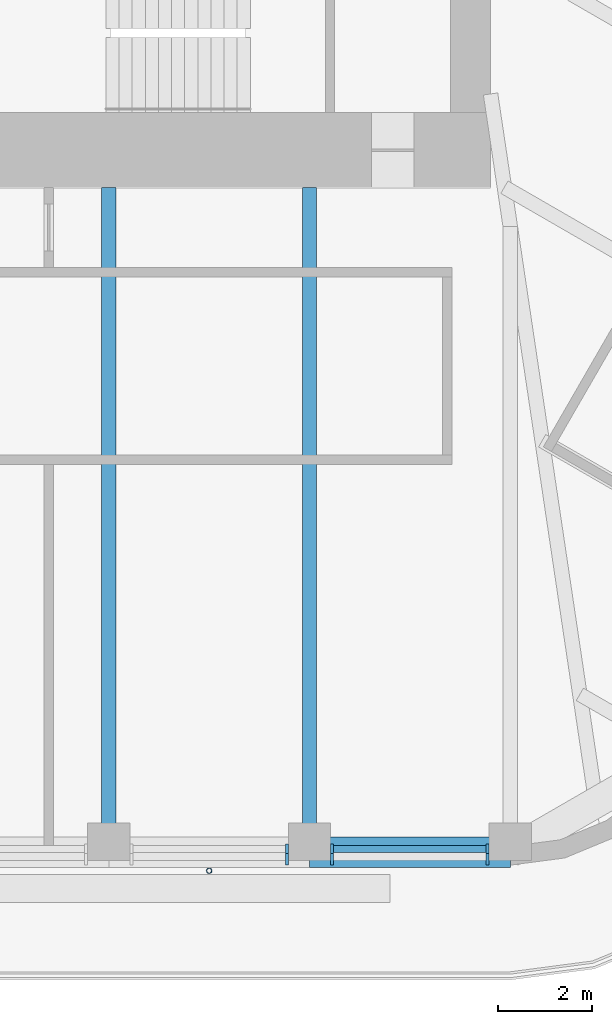
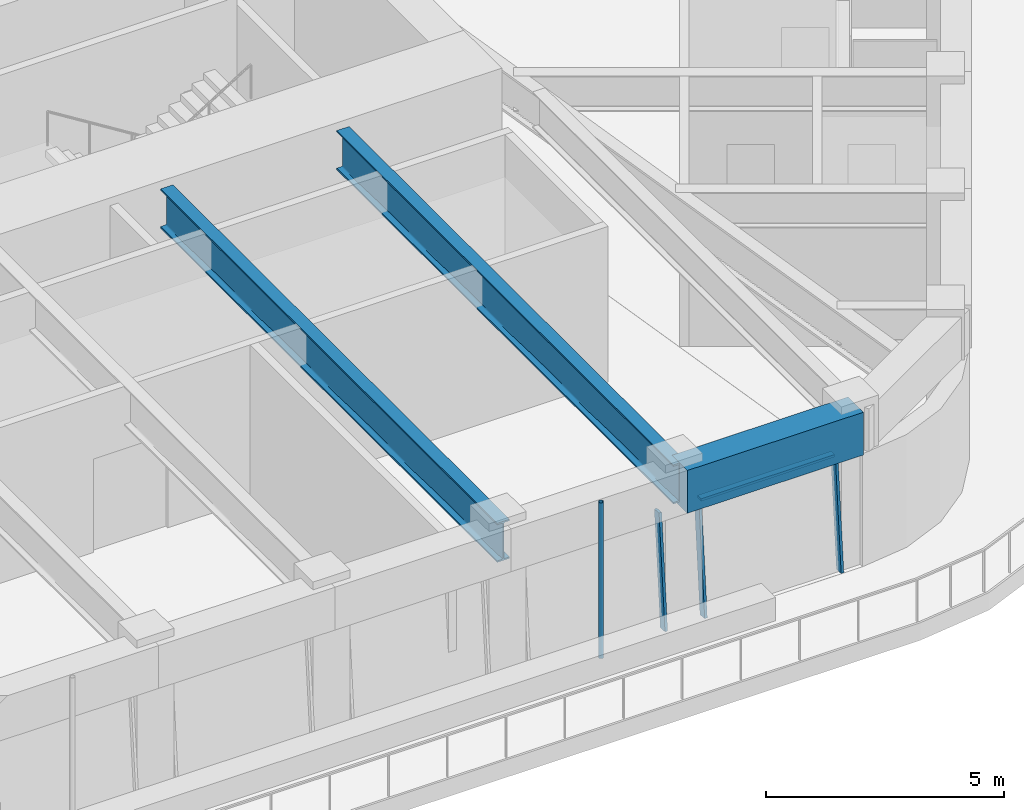
# One storey, part 4 of 19: 5 members, 3 beams, 2 elements without a shape of their own.
"""IFC4 building model written with IfcOpenShell, lengths in metres."""

from ifc_helpers import new_model, si_unit, direction, frame, origin, origin_2d, place, context, subcontext, project, spatial, rectangle, hollow_circle, i_section, extrude, material, material_profile, profile_set, type_object, element, aggregate, save


model = new_model("IFC4")

# Units and contexts
model_context = context("Model", 3, precision=1e-05, world=origin(), true_north=direction((0.0, 1.0)))
body_context = subcontext(model_context, "Body", "Model", "MODEL_VIEW")
ifc_project = project(units=[si_unit("LENGTHUNIT", "METRE"), si_unit("AREAUNIT", "SQUARE_METRE"), si_unit("VOLUMEUNIT", "CUBIC_METRE"), si_unit("PLANEANGLEUNIT", "RADIAN"), si_unit("MASSUNIT", "GRAM", prefix="KILO")], contexts=[model_context])

# Site, building, storey
site_placement = place(None, origin())
site = spatial("IfcSite", under=ifc_project, at=site_placement, CompositionType="ELEMENT")
building_placement = place(site_placement, origin())
building = spatial("IfcBuilding", under=site, at=building_placement, Name="Tarfa Lantern Tower", CompositionType="ELEMENT")
storey_placement = place(building_placement, frame((0.0, 0.0, 361.89990234375)))
storey = spatial("IfcBuildingStorey", under=building, at=storey_placement, Name="L82", CompositionType="ELEMENT", Elevation=361.89990234375)

# Curtain wall, member
ifc_material_1 = material(Name="Aluminium framed curtain wall", Category="aluminium")
curtain_wall_type = type_object("IfcCurtainWallType", Name="CW4 CANTED GLAZING EXECUTIVE ZONE 2900", PredefinedType="USERDEFINED", material=ifc_material_1)
curtain_wall_1_placement = place(storey_placement, origin())
curtain_wall_1 = element("IfcCurtainWall", 1, at=curtain_wall_1_placement, inside=storey, type_object=curtain_wall_type, Name="CW4 S L82", ObjectType="CURTAIN WALL", PredefinedType="USERDEFINED")
ifc_material_2 = material(Name="Aluminium mullion", Category="aluminium")
ifc_material_profile_1 = material_profile(ifc_material_2, rectangle(XDim=0.06494140625, YDim=0.199951171875, at=origin_2d()), Name="AL MULLION 65x200")
ifc_profile_set_1 = profile_set([ifc_material_profile_1], Name="Aluminium mullion")
member_type_1 = type_object("IfcMemberType", Name="CWM1 MULLION 65x200", PredefinedType="MULLION", material=ifc_profile_set_1)
member_1_placement = place(storey_placement, frame((8.08154296875, -26.64990234375, 0.0), z_axis=(0.0, 0.085884035992, 0.996305140186), x_axis=(-1.0, 0.0, 0.0)))
member_1 = element("IfcMember", 2, at=member_1_placement, type_object=member_type_1, Name="CW4 mullion 2", PredefinedType="MULLION", context=body_context, shape_type="SweptSolid", body=[
    extrude(rectangle(XDim=0.06494140625, YDim=0.199951171875, at=origin_2d()), origin(), (0.0, 0.0, 1.0), 2.910888671875),
])
aggregate(curtain_wall_1, [member_1])

# Curtain wall, members
curtain_wall_2_placement = place(storey_placement, origin())
curtain_wall_2 = element("IfcCurtainWall", 3, at=curtain_wall_2_placement, inside=storey, type_object=curtain_wall_type, Name="CW4 S L82", ObjectType="CURTAIN WALL", PredefinedType="USERDEFINED")
member_2_placement = place(storey_placement, frame((9.046630859375, -26.64990234375, 0.0), z_axis=(0.0, 0.085884035992, 0.996305140186), x_axis=(-1.0, 0.0, 0.0)))
member_2 = element("IfcMember", 4, at=member_2_placement, type_object=member_type_1, Name="CW4 mullion 1", PredefinedType="MULLION", context=body_context, shape_type="SweptSolid", body=[
    extrude(rectangle(XDim=0.06494140625, YDim=0.199951171875, at=origin_2d()), origin(), (0.0, 0.0, 1.0), 2.910888671875),
])
member_3_placement = place(storey_placement, frame((12.363525390625, -26.64990234375, 0.0), z_axis=(0.0, 0.085884035992, 0.996305140186), x_axis=(-1.0, 0.0, 0.0)))
member_3 = element("IfcMember", 5, at=member_3_placement, type_object=member_type_1, Name="CW4 mullion 2", PredefinedType="MULLION", context=body_context, shape_type="SweptSolid", body=[
    extrude(rectangle(XDim=0.06494140625, YDim=0.199951171875, at=origin_2d()), origin(), (0.0, 0.0, 1.0), 2.910888671875),
])
ifc_material_3 = material(Name="Aluminium transom", Category="aluminium")
ifc_material_profile_2 = material_profile(ifc_material_3, rectangle(XDim=0.14990234375, YDim=0.06494140625, at=origin_2d()), Name="AL TRANSOM 150x65")
ifc_profile_set_2 = profile_set([ifc_material_profile_2], Name="Aluminium transom")
member_type_2 = type_object("IfcMemberType", Name="CWT1 TRANSOM 150x65", PredefinedType="USERDEFINED", material=ifc_profile_set_2)
member_4_placement = place(storey_placement, frame((9.0791015625, -26.40283203125, 2.86767578125), z_axis=(1.0, 0.0, 0.0), x_axis=(0.0, 1.0, 0.0)))
member_4 = element("IfcMember", 6, at=member_4_placement, type_object=member_type_2, Name="CW4 transom 1.2", ObjectType="TRANSOM", PredefinedType="USERDEFINED", context=body_context, shape_type="SweptSolid", body=[
    extrude(rectangle(XDim=0.14990234375, YDim=0.06494140625, at=origin_2d()), origin(), (0.0, 0.0, 1.0), 3.251953125),
])
aggregate(curtain_wall_2, [member_2, member_3, member_4])

# Beam
ifc_material_4 = material(Name="Concrete C80/95", Category="concrete")
ifc_material_profile_3 = material_profile(ifc_material_4, rectangle(XDim=0.64990234375, YDim=1.10009765625, at=origin_2d()), Name="RC 650x1100")
ifc_profile_set_3 = profile_set([ifc_material_profile_3], Name="Concrete C80/95")
beam_type_1 = type_object("IfcBeamType", Name="EB4 RC 650x1100", PredefinedType="SPANDREL", material=ifc_profile_set_3)
beam_placement = place(storey_placement, frame((8.56396484375, -26.469970703125, 3.4501953125), z_axis=(1.0, 0.0, 0.0), x_axis=(0.0, 1.0, 0.0)))
element("IfcBeam", 7, at=beam_placement, inside=storey, type_object=beam_type_1, Name="Edge beam S5", PredefinedType="SPANDREL", context=body_context, shape_type="SweptSolid", body=[
    extrude(rectangle(XDim=0.64990234375, YDim=1.10009765625, at=origin_2d()), origin(), (0.0, 0.0, 1.0), 4.281982421875),
])

# Member
ifc_material_5 = material(Name="Steel S355", Category="steel")
ifc_material_profile_4 = material_profile(ifc_material_5, hollow_circle(Radius=0.05712890625, WallThickness=0.00634765625, at=origin_2d()), Name="CHS114.3x6.3")
ifc_profile_set_4 = profile_set([ifc_material_profile_4], Name="Steel S355")
member_type_3 = type_object("IfcMemberType", Name="TR1 GREEN WALL TRELLIS CHS114.3x6.3", PredefinedType="USERDEFINED", material=ifc_profile_set_4)
member_5_placement = place(storey_placement, frame((6.423095703125, -26.8701171875, 0.0), z_axis=(0.0, 0.0, 1.0), x_axis=(1.0, 0.0, 0.0)))
element("IfcMember", 8, at=member_5_placement, inside=storey, type_object=member_type_3, Name="Trellis post S 2", ObjectType="TRELLIS", PredefinedType="USERDEFINED", context=body_context, shape_type="SweptSolid", body=[
    extrude(hollow_circle(Radius=0.05712890625, WallThickness=0.00634765625, at=origin_2d()), origin(), (0.0, 0.0, 1.0), 4.0),
])

# Beams
ifc_material_6 = material(Name="Steel S460M", Category="steel")
ifc_material_profile_5 = material_profile(ifc_material_6, i_section(OverallWidth=0.302001953125, OverallDepth=1.008056640625, WebThickness=0.02099609375, FlangeThickness=0.0400390625, FilletRadius=0.030029296875, at=origin_2d()), Name="UB1016x305x349")
ifc_profile_set_5 = profile_set([ifc_material_profile_5], Name="Steel S460M")
beam_type_2 = type_object("IfcBeamType", Name="UB1016x305x349", PredefinedType="BEAM", material=ifc_profile_set_5)
for number, where, z_axis, x_axis, name in (
    (9, (4.281982421875, -26.469970703125, 3.49609375), (0.0, 1.0, 0.0), (-1.0, 0.0, 0.0), "Floor beam S4"),
    (10, (8.56396484375, -26.469970703125, 3.49609375), (0.0, 1.0, 0.0), (-1.0, 0.0, 0.0), "Floor beam S5"),
):
    element("IfcBeam", number, at=place(storey_placement, frame(where, z_axis=z_axis, x_axis=x_axis)), inside=storey, type_object=beam_type_2, Name=name, PredefinedType="BEAM", context=body_context, shape_type="SweptSolid", body=[
        extrude(i_section(OverallWidth=0.302001953125, OverallDepth=1.008056640625, WebThickness=0.02099609375, FlangeThickness=0.0400390625, FilletRadius=0.030029296875, at=origin_2d()), origin(), (0.0, 0.0, 1.0), 14.169921875),
    ])

save(model, "model.ifc")
